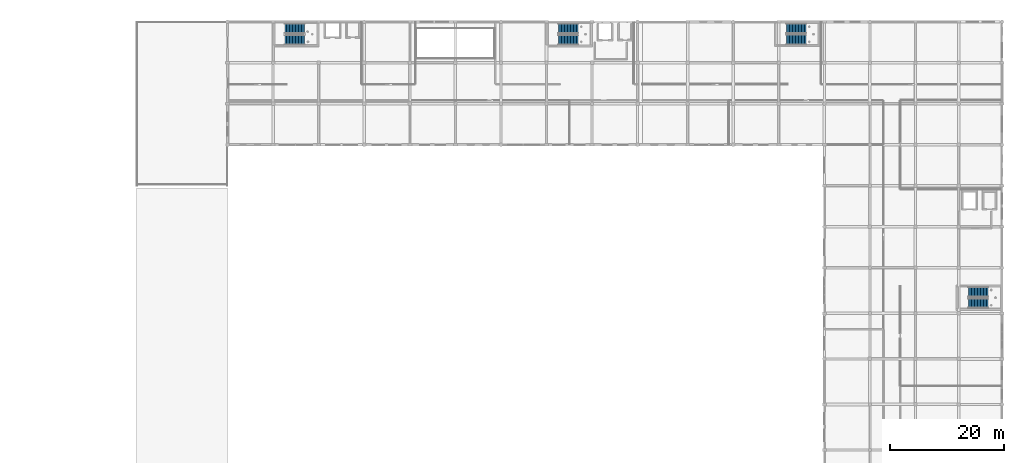
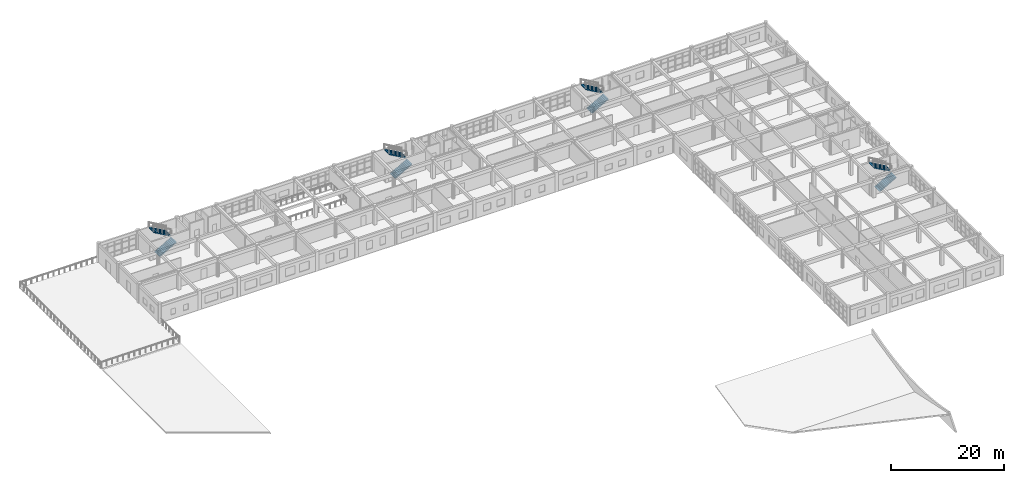
# One storey, part 47 of 53: 8 stair flights, 4 elements without a shape of their own.
"""IFC4 building model written with IfcOpenShell, lengths in metres."""

from ifc_helpers import new_model, si_unit, direction, frame, origin, place, context, subcontext, project, spatial, polyline, outline, extrude, material, type_object, element, aggregate, save


model = new_model("IFC4")

# Units and contexts
model_context = context("Model", 3, precision=1e-05, world=origin(), true_north=direction((0.0, 1.0)))
body_context = subcontext(model_context, "Body", "Model", "MODEL_VIEW")
ifc_project = project(units=[si_unit("LENGTHUNIT", "METRE"), si_unit("AREAUNIT", "SQUARE_METRE"), si_unit("VOLUMEUNIT", "CUBIC_METRE"), si_unit("PLANEANGLEUNIT", "RADIAN"), si_unit("MASSUNIT", "GRAM", prefix="KILO")], contexts=[model_context])

# Site, building, storey
site_placement = place(None, origin())
site = spatial("IfcSite", under=ifc_project, at=site_placement, CompositionType="ELEMENT")
building_placement = place(site_placement, origin())
building = spatial("IfcBuilding", under=site, at=building_placement, Name="Kharva Crest Polytechnic", CompositionType="ELEMENT")
storey_placement = place(building_placement, frame((0.0, 0.0, 17.39990234375)))
storey = spatial("IfcBuildingStorey", under=building, at=storey_placement, Name="L04", CompositionType="ELEMENT", Elevation=17.39990234375)

# Stair, stair flights
ifc_material = material(Name="Concrete C35/45", Category="concrete")
stair_type_1 = type_object("IfcStairType", Name="STR-DOGLEG-1780", PredefinedType="TWO_STRAIGHT_RUN_STAIR", material=ifc_material)
stair_1_placement = place(storey_placement, origin())
stair_1 = element("IfcStair", 1, at=stair_1_placement, inside=storey, type_object=stair_type_1, Name="L04 North-West Lab Core C3", PredefinedType="TWO_STRAIGHT_RUN_STAIR")
stair_flight_type_1 = type_object("IfcStairFlightType", Name="STF-RC-1780", PredefinedType="STRAIGHT", material=ifc_material)
stair_flight_1_placement = place(storey_placement, frame((58.090087890625, 118.830078125, 0.0), z_axis=(0.0, 0.0, 1.0), x_axis=(1.0, 0.0, 0.0)))
stair_flight_1 = element("IfcStairFlight", 2, at=stair_flight_1_placement, type_object=stair_flight_type_1, Name="ST-03 flight 1", NumberOfRisers=14, NumberOfTreads=13, PredefinedType="STRAIGHT", RiserHeight=0.15, TreadLength=0.265, context=body_context, shape_type="SweptSolid", body=[
    extrude(outline(polyline([(0.0, 0.0), (0.0, 0.14990234375), (0.264892578125, 0.14990234375), (0.264892578125, 0.300048828125), (0.530029296875, 0.300048828125), (0.530029296875, 0.449951171875), (0.794921875, 0.449951171875), (0.794921875, 0.60009765625), (1.06005859375, 0.60009765625), (1.06005859375, 0.75), (1.324951171875, 0.75), (1.324951171875, 0.89990234375), (1.590087890625, 0.89990234375), (1.590087890625, 1.050048828125), (1.85498046875, 1.050048828125), (1.85498046875, 1.199951171875), (2.1201171875, 1.199951171875), (2.1201171875, 1.35009765625), (2.385009765625, 1.35009765625), (2.385009765625, 1.5), (2.64990234375, 1.5), (2.64990234375, 1.64990234375), (2.9150390625, 1.64990234375), (2.9150390625, 1.800048828125), (3.179931640625, 1.800048828125), (3.179931640625, 1.949951171875), (3.445068359375, 1.949951171875), (3.445068359375, 2.10009765625), (3.445068359375, 1.766357421875), (0.32470703125, 0.0), (0.0, 0.0)])), frame((0.0, 0.89013671875, 0.0), z_axis=(0.0, -1.0, 0.0), x_axis=(1.0, 0.0, 0.0)), (0.0, 0.0, 1.0), 1.780029296875),
])
stair_flight_2_placement = place(storey_placement, frame((61.534912109375, 120.81005859375, 2.10009765625), z_axis=(0.0, 0.0, 1.0), x_axis=(-1.0, 0.0, 0.0)))
stair_flight_2 = element("IfcStairFlight", 3, at=stair_flight_2_placement, type_object=stair_flight_type_1, Name="ST-03 flight 2", NumberOfRisers=14, NumberOfTreads=13, PredefinedType="STRAIGHT", RiserHeight=0.15, TreadLength=0.265, context=body_context, shape_type="SweptSolid", body=[
    extrude(outline(polyline([(0.0, 0.0), (0.0, 0.14990234375), (0.264892578125, 0.14990234375), (0.264892578125, 0.300048828125), (0.530029296875, 0.300048828125), (0.530029296875, 0.449951171875), (0.794921875, 0.449951171875), (0.794921875, 0.60009765625), (1.06005859375, 0.60009765625), (1.06005859375, 0.75), (1.324951171875, 0.75), (1.324951171875, 0.89990234375), (1.590087890625, 0.89990234375), (1.590087890625, 1.050048828125), (1.85498046875, 1.050048828125), (1.85498046875, 1.199951171875), (2.1201171875, 1.199951171875), (2.1201171875, 1.35009765625), (2.385009765625, 1.35009765625), (2.385009765625, 1.5), (2.64990234375, 1.5), (2.64990234375, 1.64990234375), (2.9150390625, 1.64990234375), (2.9150390625, 1.800048828125), (3.179931640625, 1.800048828125), (3.179931640625, 1.949951171875), (3.445068359375, 1.949951171875), (3.445068359375, 2.10009765625), (3.445068359375, 1.766357421875), (0.32470703125, 0.0), (0.0, 0.0)])), frame((0.0, 0.89013671875, 0.0), z_axis=(0.0, -1.0, 0.0), x_axis=(1.0, 0.0, 0.0)), (0.0, 0.0, 1.0), 1.780029296875),
])
aggregate(stair_1, [stair_flight_1, stair_flight_2])

stair_2_placement = place(storey_placement, origin())
stair_2 = element("IfcStair", 4, at=stair_2_placement, inside=storey, type_object=stair_type_1, Name="L04 North Crest Firefighting Core C4", PredefinedType="TWO_STRAIGHT_RUN_STAIR")
stair_flight_3_placement = place(storey_placement, frame((106.090087890625, 118.830078125, 0.0), z_axis=(0.0, 0.0, 1.0), x_axis=(1.0, 0.0, 0.0)))
stair_flight_3 = element("IfcStairFlight", 5, at=stair_flight_3_placement, type_object=stair_flight_type_1, Name="ST-04 flight 1", NumberOfRisers=14, NumberOfTreads=13, PredefinedType="STRAIGHT", RiserHeight=0.15, TreadLength=0.265, context=body_context, shape_type="SweptSolid", body=[
    extrude(outline(polyline([(0.0, 0.0), (0.0, 0.14990234375), (0.264892578125, 0.14990234375), (0.264892578125, 0.300048828125), (0.530029296875, 0.300048828125), (0.530029296875, 0.449951171875), (0.794921875, 0.449951171875), (0.794921875, 0.60009765625), (1.06005859375, 0.60009765625), (1.06005859375, 0.75), (1.324951171875, 0.75), (1.324951171875, 0.89990234375), (1.590087890625, 0.89990234375), (1.590087890625, 1.050048828125), (1.85498046875, 1.050048828125), (1.85498046875, 1.199951171875), (2.1201171875, 1.199951171875), (2.1201171875, 1.35009765625), (2.385009765625, 1.35009765625), (2.385009765625, 1.5), (2.64990234375, 1.5), (2.64990234375, 1.64990234375), (2.9150390625, 1.64990234375), (2.9150390625, 1.800048828125), (3.179931640625, 1.800048828125), (3.179931640625, 1.949951171875), (3.445068359375, 1.949951171875), (3.445068359375, 2.10009765625), (3.445068359375, 1.766357421875), (0.32470703125, 0.0), (0.0, 0.0)])), frame((0.0, 0.89013671875, 0.0), z_axis=(0.0, -1.0, 0.0), x_axis=(1.0, 0.0, 0.0)), (0.0, 0.0, 1.0), 1.780029296875),
])
stair_flight_4_placement = place(storey_placement, frame((109.534912109375, 120.81005859375, 2.10009765625), z_axis=(0.0, 0.0, 1.0), x_axis=(-1.0, 0.0, 0.0)))
stair_flight_4 = element("IfcStairFlight", 6, at=stair_flight_4_placement, type_object=stair_flight_type_1, Name="ST-04 flight 2", NumberOfRisers=14, NumberOfTreads=13, PredefinedType="STRAIGHT", RiserHeight=0.15, TreadLength=0.265, context=body_context, shape_type="SweptSolid", body=[
    extrude(outline(polyline([(0.0, 0.0), (0.0, 0.14990234375), (0.264892578125, 0.14990234375), (0.264892578125, 0.300048828125), (0.530029296875, 0.300048828125), (0.530029296875, 0.449951171875), (0.794921875, 0.449951171875), (0.794921875, 0.60009765625), (1.06005859375, 0.60009765625), (1.06005859375, 0.75), (1.324951171875, 0.75), (1.324951171875, 0.89990234375), (1.590087890625, 0.89990234375), (1.590087890625, 1.050048828125), (1.85498046875, 1.050048828125), (1.85498046875, 1.199951171875), (2.1201171875, 1.199951171875), (2.1201171875, 1.35009765625), (2.385009765625, 1.35009765625), (2.385009765625, 1.5), (2.64990234375, 1.5), (2.64990234375, 1.64990234375), (2.9150390625, 1.64990234375), (2.9150390625, 1.800048828125), (3.179931640625, 1.800048828125), (3.179931640625, 1.949951171875), (3.445068359375, 1.949951171875), (3.445068359375, 2.10009765625), (3.445068359375, 1.766357421875), (0.32470703125, 0.0), (0.0, 0.0)])), frame((0.0, 0.89013671875, 0.0), z_axis=(0.0, -1.0, 0.0), x_axis=(1.0, 0.0, 0.0)), (0.0, 0.0, 1.0), 1.780029296875),
])
aggregate(stair_2, [stair_flight_3, stair_flight_4])

stair_3_placement = place(storey_placement, origin())
stair_3 = element("IfcStair", 7, at=stair_3_placement, inside=storey, type_object=stair_type_1, Name="L04 East Crest Firefighting Core C5", PredefinedType="TWO_STRAIGHT_RUN_STAIR")
stair_flight_5_placement = place(storey_placement, frame((178.090087890625, 72.56005859375, 0.0), z_axis=(0.0, 0.0, 1.0), x_axis=(1.0, 0.0, 0.0)))
stair_flight_5 = element("IfcStairFlight", 8, at=stair_flight_5_placement, type_object=stair_flight_type_1, Name="ST-05 flight 1", NumberOfRisers=14, NumberOfTreads=13, PredefinedType="STRAIGHT", RiserHeight=0.15, TreadLength=0.265, context=body_context, shape_type="SweptSolid", body=[
    extrude(outline(polyline([(0.0, 0.0), (0.0, 0.14990234375), (0.264892578125, 0.14990234375), (0.264892578125, 0.300048828125), (0.530029296875, 0.300048828125), (0.530029296875, 0.449951171875), (0.794921875, 0.449951171875), (0.794921875, 0.60009765625), (1.06005859375, 0.60009765625), (1.06005859375, 0.75), (1.324951171875, 0.75), (1.324951171875, 0.89990234375), (1.590087890625, 0.89990234375), (1.590087890625, 1.050048828125), (1.85498046875, 1.050048828125), (1.85498046875, 1.199951171875), (2.1201171875, 1.199951171875), (2.1201171875, 1.35009765625), (2.385009765625, 1.35009765625), (2.385009765625, 1.5), (2.64990234375, 1.5), (2.64990234375, 1.64990234375), (2.9150390625, 1.64990234375), (2.9150390625, 1.800048828125), (3.179931640625, 1.800048828125), (3.179931640625, 1.949951171875), (3.445068359375, 1.949951171875), (3.445068359375, 2.10009765625), (3.445068359375, 1.766357421875), (0.32470703125, 0.0), (0.0, 0.0)])), frame((0.0, 0.89013671875, 0.0), z_axis=(0.0, -1.0, 0.0), x_axis=(1.0, 0.0, 0.0)), (0.0, 0.0, 1.0), 1.780029296875),
])
stair_flight_6_placement = place(storey_placement, frame((181.534912109375, 74.5400390625, 2.10009765625), z_axis=(0.0, 0.0, 1.0), x_axis=(-1.0, 0.0, 0.0)))
stair_flight_6 = element("IfcStairFlight", 9, at=stair_flight_6_placement, type_object=stair_flight_type_1, Name="ST-05 flight 2", NumberOfRisers=14, NumberOfTreads=13, PredefinedType="STRAIGHT", RiserHeight=0.15, TreadLength=0.265, context=body_context, shape_type="SweptSolid", body=[
    extrude(outline(polyline([(0.0, 0.0), (0.0, 0.14990234375), (0.264892578125, 0.14990234375), (0.264892578125, 0.300048828125), (0.530029296875, 0.300048828125), (0.530029296875, 0.449951171875), (0.794921875, 0.449951171875), (0.794921875, 0.60009765625), (1.06005859375, 0.60009765625), (1.06005859375, 0.75), (1.324951171875, 0.75), (1.324951171875, 0.89990234375), (1.590087890625, 0.89990234375), (1.590087890625, 1.050048828125), (1.85498046875, 1.050048828125), (1.85498046875, 1.199951171875), (2.1201171875, 1.199951171875), (2.1201171875, 1.35009765625), (2.385009765625, 1.35009765625), (2.385009765625, 1.5), (2.64990234375, 1.5), (2.64990234375, 1.64990234375), (2.9150390625, 1.64990234375), (2.9150390625, 1.800048828125), (3.179931640625, 1.800048828125), (3.179931640625, 1.949951171875), (3.445068359375, 1.949951171875), (3.445068359375, 2.10009765625), (3.445068359375, 1.766357421875), (0.32470703125, 0.0), (0.0, 0.0)])), frame((0.0, 0.89013671875, 0.0), z_axis=(0.0, -1.0, 0.0), x_axis=(1.0, 0.0, 0.0)), (0.0, 0.0, 1.0), 1.780029296875),
])
aggregate(stair_3, [stair_flight_5, stair_flight_6])

stair_type_2 = type_object("IfcStairType", Name="STR-DOGLEG-1820", PredefinedType="TWO_STRAIGHT_RUN_STAIR", material=ifc_material)
stair_4_placement = place(storey_placement, origin())
stair_4 = element("IfcStair", 10, at=stair_4_placement, inside=storey, type_object=stair_type_2, Name="L04 North-East Library Wing Stair C9", PredefinedType="TWO_STRAIGHT_RUN_STAIR")
stair_flight_type_2 = type_object("IfcStairFlightType", Name="STF-RC-1820", PredefinedType="STRAIGHT", material=ifc_material)
stair_flight_7_placement = place(storey_placement, frame((146.1298828125, 118.85009765625, 0.0), z_axis=(0.0, 0.0, 1.0), x_axis=(1.0, 0.0, 0.0)))
stair_flight_7 = element("IfcStairFlight", 11, at=stair_flight_7_placement, type_object=stair_flight_type_2, Name="ST-09 flight 1", NumberOfRisers=14, NumberOfTreads=13, PredefinedType="STRAIGHT", RiserHeight=0.15, TreadLength=0.265, context=body_context, shape_type="SweptSolid", body=[
    extrude(outline(polyline([(0.0, 0.0), (0.0, 0.14990234375), (0.264892578125, 0.14990234375), (0.264892578125, 0.300048828125), (0.530029296875, 0.300048828125), (0.530029296875, 0.449951171875), (0.794921875, 0.449951171875), (0.794921875, 0.60009765625), (1.06005859375, 0.60009765625), (1.06005859375, 0.75), (1.324951171875, 0.75), (1.324951171875, 0.89990234375), (1.590087890625, 0.89990234375), (1.590087890625, 1.050048828125), (1.85498046875, 1.050048828125), (1.85498046875, 1.199951171875), (2.1201171875, 1.199951171875), (2.1201171875, 1.35009765625), (2.385009765625, 1.35009765625), (2.385009765625, 1.5), (2.64990234375, 1.5), (2.64990234375, 1.64990234375), (2.9150390625, 1.64990234375), (2.9150390625, 1.800048828125), (3.179931640625, 1.800048828125), (3.179931640625, 1.949951171875), (3.445068359375, 1.949951171875), (3.445068359375, 2.10009765625), (3.445068359375, 1.766357421875), (0.32470703125, 0.0), (0.0, 0.0)])), frame((0.0, 0.91015625, 0.0), z_axis=(0.0, -1.0, 0.0), x_axis=(1.0, 0.0, 0.0)), (0.0, 0.0, 1.0), 1.820068359375),
])
stair_flight_8_placement = place(storey_placement, frame((149.574951171875, 120.7900390625, 2.10009765625), z_axis=(0.0, 0.0, 1.0), x_axis=(-1.0, 0.0, 0.0)))
stair_flight_8 = element("IfcStairFlight", 12, at=stair_flight_8_placement, type_object=stair_flight_type_2, Name="ST-09 flight 2", NumberOfRisers=14, NumberOfTreads=13, PredefinedType="STRAIGHT", RiserHeight=0.15, TreadLength=0.265, context=body_context, shape_type="SweptSolid", body=[
    extrude(outline(polyline([(0.0, 0.0), (0.0, 0.14990234375), (0.264892578125, 0.14990234375), (0.264892578125, 0.300048828125), (0.530029296875, 0.300048828125), (0.530029296875, 0.449951171875), (0.794921875, 0.449951171875), (0.794921875, 0.60009765625), (1.06005859375, 0.60009765625), (1.06005859375, 0.75), (1.324951171875, 0.75), (1.324951171875, 0.89990234375), (1.590087890625, 0.89990234375), (1.590087890625, 1.050048828125), (1.85498046875, 1.050048828125), (1.85498046875, 1.199951171875), (2.1201171875, 1.199951171875), (2.1201171875, 1.35009765625), (2.385009765625, 1.35009765625), (2.385009765625, 1.5), (2.64990234375, 1.5), (2.64990234375, 1.64990234375), (2.9150390625, 1.64990234375), (2.9150390625, 1.800048828125), (3.179931640625, 1.800048828125), (3.179931640625, 1.949951171875), (3.445068359375, 1.949951171875), (3.445068359375, 2.10009765625), (3.445068359375, 1.766357421875), (0.32470703125, 0.0), (0.0, 0.0)])), frame((0.0, 0.91015625, 0.0), z_axis=(0.0, -1.0, 0.0), x_axis=(1.0, 0.0, 0.0)), (0.0, 0.0, 1.0), 1.820068359375),
])
aggregate(stair_4, [stair_flight_7, stair_flight_8])

save(model, "model.ifc")
